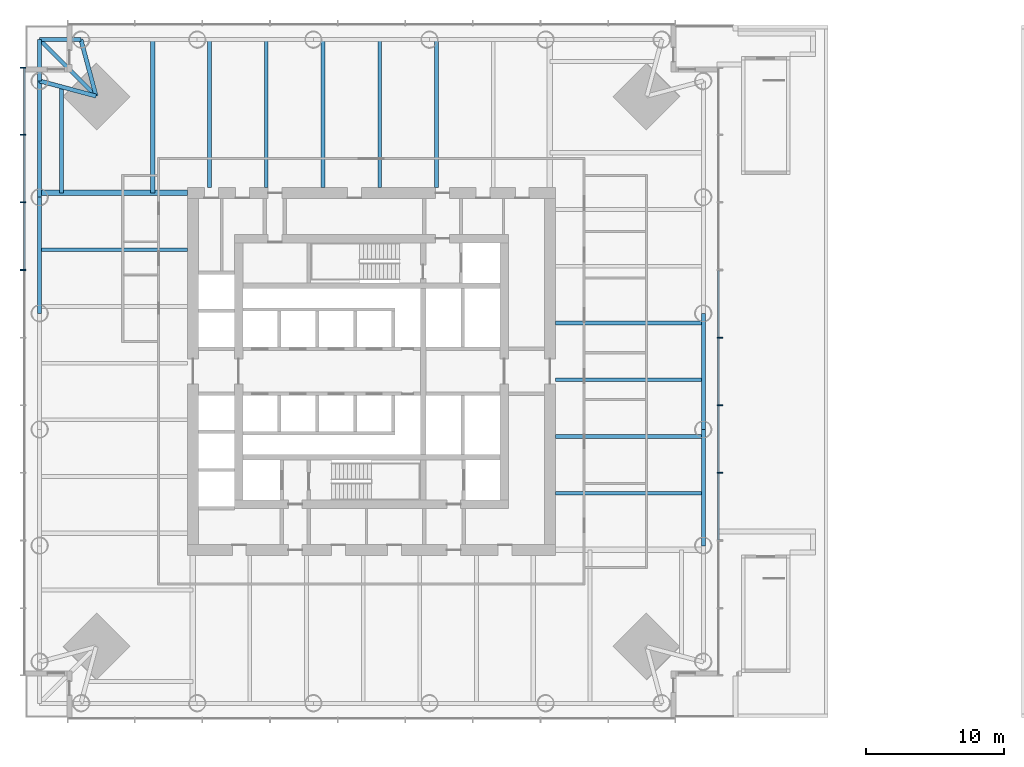
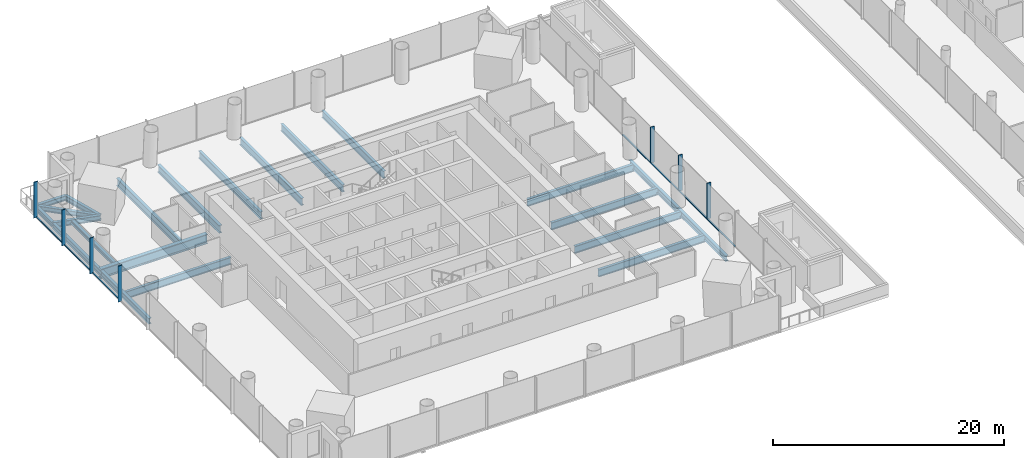
# One storey, part 3 of 19: 22 beams, 14 members, 2 elements without a shape of their own.
"""IFC4 building model written with IfcOpenShell, lengths in metres."""

from ifc_helpers import new_model, si_unit, direction, frame, origin, origin_2d, place, context, subcontext, project, spatial, rectangle, i_section, extrude, material, material_profile, profile_set, type_object, element, aggregate, save


model = new_model("IFC4")

# Units and contexts
model_context = context("Model", 3, precision=1e-05, world=origin(), true_north=direction((0.0, 1.0)))
body_context = subcontext(model_context, "Body", "Model", "MODEL_VIEW")
ifc_project = project(units=[si_unit("LENGTHUNIT", "METRE"), si_unit("AREAUNIT", "SQUARE_METRE"), si_unit("VOLUMEUNIT", "CUBIC_METRE"), si_unit("PLANEANGLEUNIT", "RADIAN"), si_unit("MASSUNIT", "GRAM", prefix="KILO")], contexts=[model_context])

# Site, building, storey
site_placement = place(None, origin())
site = spatial("IfcSite", under=ifc_project, at=site_placement, CompositionType="ELEMENT")
building_placement = place(site_placement, origin())
building = spatial("IfcBuilding", under=site, at=building_placement, Name="Ostroluk Exchange", CompositionType="ELEMENT")
storey_placement = place(building_placement, frame((0.0, 0.0, 21.0)))
storey = spatial("IfcBuildingStorey", under=building, at=storey_placement, Name="L04", CompositionType="ELEMENT", Elevation=21.0)

# Beams
ifc_material_1 = material(Name="Steel S355", Category="steel")
ifc_material_profile_1 = material_profile(ifc_material_1, i_section(OverallWidth=0.300048828125, OverallDepth=0.5, WebThickness=0.014404296875, FlangeThickness=0.028076171875, FilletRadius=0.027099609375, at=origin_2d()), Name="HEB 500")
ifc_profile_set_1 = profile_set([ifc_material_profile_1], Name="Steel S355")
beam_type_1 = type_object("IfcBeamType", Name="Balcony beam HEB 500", PredefinedType="BEAM", material=ifc_profile_set_1)
for number, where, z_axis, x_axis, name in (
    (1, (24.0, 70.0, -0.550048828125), (-1.0, 0.0, 0.0), (0.0, -1.0, 0.0), "T1 north balcony beam a"),
    (2, (21.0, 67.0, -0.550048828125), (0.0, 1.0, 0.0), (-1.0, 0.0, 0.0), "T1 north balcony beam b"),
):
    element("IfcBeam", number, at=place(storey_placement, frame(where, z_axis=z_axis, x_axis=x_axis)), inside=storey, type_object=beam_type_1, Name=name, PredefinedType="BEAM", context=body_context, shape_type="SweptSolid", body=[
        extrude(i_section(OverallWidth=0.300048828125, OverallDepth=0.5, WebThickness=0.014404296875, FlangeThickness=0.028076171875, FilletRadius=0.027099609375, at=origin_2d()), origin(), (0.0, 0.0, 1.0), 3.0),
    ])
beam_1_placement = place(storey_placement, frame((25.10009765625, 65.89990234375, -0.550048828125), z_axis=(-0.707106781187, 0.707106781187, 0.0), x_axis=(-0.707106781187, -0.707106781187, 0.0)))
element("IfcBeam", 3, at=beam_1_placement, inside=storey, type_object=beam_type_1, Name="T1 north balcony beam c", PredefinedType="BEAM", context=body_context, shape_type="SweptSolid", body=[
    extrude(i_section(OverallWidth=0.300048828125, OverallDepth=0.5, WebThickness=0.014404296875, FlangeThickness=0.028076171875, FilletRadius=0.027099609375, at=origin_2d()), origin(), (0.0, 0.0, 1.0), 5.79833984375),
])
ifc_material_2 = material(Name="Steel S355", Category="steel")
ifc_material_profile_2 = material_profile(ifc_material_2, i_section(OverallWidth=0.300048828125, OverallDepth=0.550048828125, WebThickness=0.014892578125, FlangeThickness=0.029052734375, FilletRadius=0.027099609375, at=origin_2d()), Name="HEB 550")
ifc_profile_set_2 = profile_set([ifc_material_profile_2], Name="Steel S355")
beam_type_2 = type_object("IfcBeamType", Name="Corner edge beam HEB 550", PredefinedType="SPANDREL", material=ifc_profile_set_2)
for number, where, z_axis, x_axis, name in (
    (4, (25.10009765625, 65.89990234375, -0.574951171875), (-0.259144268261, 0.965838624319, 0.0), (-0.965838624319, -0.259144268261, 0.0), "T1 north corner edge beam a"),
    (5, (25.10009765625, 65.89990234375, -0.574951171875), (-0.965838624319, 0.259144268261, 0.0), (-0.259144268261, -0.965838624319, 0.0), "T1 north corner edge beam b"),
):
    element("IfcBeam", number, at=place(storey_placement, frame(where, z_axis=z_axis, x_axis=x_axis)), inside=storey, type_object=beam_type_2, Name=name, PredefinedType="SPANDREL", context=body_context, shape_type="SweptSolid", body=[
        extrude(i_section(OverallWidth=0.300048828125, OverallDepth=0.550048828125, WebThickness=0.014892578125, FlangeThickness=0.029052734375, FilletRadius=0.027099609375, at=origin_2d()), origin(), (0.0, 0.0, 1.0), 4.2451171875),
    ])
ifc_material_3 = material(Name="Steel S355", Category="steel")
ifc_material_profile_3 = material_profile(ifc_material_3, i_section(OverallWidth=0.300048828125, OverallDepth=0.39990234375, WebThickness=0.013427734375, FlangeThickness=0.02392578125, FilletRadius=0.027099609375, at=origin_2d()), Name="HEB 400")
ifc_profile_set_3 = profile_set([ifc_material_profile_3], Name="Steel S355")
beam_type_3 = type_object("IfcBeamType", Name="Floor beam HEB 400", PredefinedType="BEAM", material=ifc_profile_set_3)
beam_2_placement = place(storey_placement, frame((22.60009765625, 58.89990234375, -0.5), z_axis=(0.0, 1.0, 0.0), x_axis=(-1.0, 0.0, 0.0)))
element("IfcBeam", 6, at=beam_2_placement, inside=storey, type_object=beam_type_3, Name="T1 north floor beam 8", PredefinedType="BEAM", context=body_context, shape_type="SweptSolid", body=[
    extrude(i_section(OverallWidth=0.300048828125, OverallDepth=0.39990234375, WebThickness=0.013427734375, FlangeThickness=0.02392578125, FilletRadius=0.027099609375, at=origin_2d()), origin(), (0.0, 0.0, 1.0), 7.6708984375),
])
ifc_material_4 = material(Name="Steel S355", Category="steel")
ifc_material_profile_4 = material_profile(ifc_material_4, i_section(OverallWidth=0.302978515625, OverallDepth=0.81396484375, WebThickness=0.02099609375, FlangeThickness=0.0400390625, FilletRadius=0.030029296875, at=origin_2d()), Name="HEM 800")
ifc_profile_set_4 = profile_set([ifc_material_profile_4], Name="Steel S355")
beam_type_4 = type_object("IfcBeamType", Name="Floor beam HEM 800", PredefinedType="BEAM", material=ifc_profile_set_4)
beam_3_placement = place(storey_placement, frame((33.300048828125, 59.300048828125, -0.70703125), z_axis=(0.0, 1.0, 0.0), x_axis=(-1.0, 0.0, 0.0)))
element("IfcBeam", 7, at=beam_3_placement, inside=storey, type_object=beam_type_4, Name="T1 north floor beam 6", PredefinedType="BEAM", context=body_context, shape_type="SweptSolid", body=[
    extrude(i_section(OverallWidth=0.302978515625, OverallDepth=0.81396484375, WebThickness=0.02099609375, FlangeThickness=0.0400390625, FilletRadius=0.030029296875, at=origin_2d()), origin(), (0.0, 0.0, 1.0), 10.699951171875),
])
beam_4_placement = place(storey_placement, frame((29.199951171875, 58.89990234375, -0.70703125), z_axis=(0.0, 1.0, 0.0), x_axis=(-1.0, 0.0, 0.0)))
element("IfcBeam", 8, at=beam_4_placement, inside=storey, type_object=beam_type_4, Name="T1 north floor beam 7", PredefinedType="BEAM", context=body_context, shape_type="SweptSolid", body=[
    extrude(i_section(OverallWidth=0.302978515625, OverallDepth=0.81396484375, WebThickness=0.02099609375, FlangeThickness=0.0400390625, FilletRadius=0.030029296875, at=origin_2d()), origin(), (0.0, 0.0, 1.0), 11.10009765625),
])
ifc_material_5 = material(Name="Steel S355", Category="steel")
ifc_material_profile_5 = material_profile(ifc_material_5, i_section(OverallWidth=0.26806640625, OverallDepth=0.77001953125, WebThickness=0.015625, FlangeThickness=0.025390625, FilletRadius=0.01708984375, at=origin_2d()), Name="IPE 750x196")
ifc_profile_set_5 = profile_set([ifc_material_profile_5], Name="Steel S355")
beam_type_5 = type_object("IfcBeamType", Name="Floor beam IPE 750x196", PredefinedType="BEAM", material=ifc_profile_set_5)
for number, where, z_axis, x_axis, name in (
    (9, (58.300048828125, 37.199951171875, -0.68505859375), (1.0, 0.0, 0.0), (0.0, 1.0, 0.0), "T1 east floor beam 1"),
    (10, (58.300048828125, 41.300048828125, -0.68505859375), (1.0, 0.0, 0.0), (0.0, 1.0, 0.0), "T1 east floor beam 2"),
    (11, (58.300048828125, 45.39990234375, -0.68505859375), (1.0, 0.0, 0.0), (0.0, 1.0, 0.0), "T1 east floor beam 3"),
    (12, (58.300048828125, 49.5, -0.68505859375), (1.0, 0.0, 0.0), (0.0, 1.0, 0.0), "T1 east floor beam 4"),
    (13, (49.699951171875, 59.300048828125, -0.68505859375), (0.0, 1.0, 0.0), (-1.0, 0.0, 0.0), "T1 north floor beam 2"),
    (14, (45.60009765625, 59.300048828125, -0.68505859375), (0.0, 1.0, 0.0), (-1.0, 0.0, 0.0), "T1 north floor beam 3"),
    (15, (41.5, 59.300048828125, -0.68505859375), (0.0, 1.0, 0.0), (-1.0, 0.0, 0.0), "T1 north floor beam 4"),
    (16, (37.39990234375, 59.300048828125, -0.68505859375), (0.0, 1.0, 0.0), (-1.0, 0.0, 0.0), "T1 north floor beam 5"),
    (17, (31.699951171875, 54.800048828125, -0.68505859375), (-1.0, 0.0, 0.0), (0.0, -1.0, 0.0), "T1 west floor beam 1"),
):
    element("IfcBeam", number, at=place(storey_placement, frame(where, z_axis=z_axis, x_axis=x_axis)), inside=storey, type_object=beam_type_5, Name=name, PredefinedType="BEAM", context=body_context, shape_type="SweptSolid", body=[
        extrude(i_section(OverallWidth=0.26806640625, OverallDepth=0.77001953125, WebThickness=0.015625, FlangeThickness=0.025390625, FilletRadius=0.01708984375, at=origin_2d()), origin(), (0.0, 0.0, 1.0), 10.699951171875),
    ])
ifc_material_6 = material(Name="Steel S355", Category="steel")
ifc_material_profile_6 = material_profile(ifc_material_6, i_section(OverallWidth=0.402099609375, OverallDepth=1.011962890625, WebThickness=0.035888671875, FlangeThickness=0.055908203125, FilletRadius=0.030029296875, at=origin_2d()), Name="HL 1000x443")
ifc_profile_set_6 = profile_set([ifc_material_profile_6], Name="Steel S355")
beam_type_6 = type_object("IfcBeamType", Name="Girder HL 1000x443", PredefinedType="BEAM", material=ifc_profile_set_6)
beam_5_placement = place(storey_placement, frame((31.699951171875, 58.89990234375, -0.805908203125), z_axis=(-1.0, 0.0, 0.0), x_axis=(0.0, -1.0, 0.0)))
element("IfcBeam", 18, at=beam_5_placement, inside=storey, type_object=beam_type_6, Name="T1 north girder", PredefinedType="BEAM", context=body_context, shape_type="SweptSolid", body=[
    extrude(i_section(OverallWidth=0.402099609375, OverallDepth=1.011962890625, WebThickness=0.035888671875, FlangeThickness=0.055908203125, FilletRadius=0.030029296875, at=origin_2d()), origin(), (0.0, 0.0, 1.0), 10.699951171875),
])
ifc_material_7 = material(Name="Steel S355", Category="steel")
ifc_material_profile_7 = material_profile(ifc_material_7, i_section(OverallWidth=0.300048828125, OverallDepth=0.60009765625, WebThickness=0.015380859375, FlangeThickness=0.030029296875, FilletRadius=0.027099609375, at=origin_2d()), Name="HEB 600")
ifc_profile_set_7 = profile_set([ifc_material_profile_7], Name="Steel S355")
beam_type_7 = type_object("IfcBeamType", Name="Moment-connected edge beam HEB 600", PredefinedType="SPANDREL", material=ifc_profile_set_7)
beam_6_placement = place(storey_placement, frame((69.0, 33.39990234375, -0.60009765625), z_axis=(0.0, 1.0, 0.0), x_axis=(-1.0, 0.0, 0.0)))
element("IfcBeam", 19, at=beam_6_placement, inside=storey, type_object=beam_type_7, Name="T1 east edge beam 2", PredefinedType="SPANDREL", context=body_context, shape_type="SweptSolid", body=[
    extrude(i_section(OverallWidth=0.300048828125, OverallDepth=0.60009765625, WebThickness=0.015380859375, FlangeThickness=0.030029296875, FilletRadius=0.027099609375, at=origin_2d()), origin(), (0.0, 0.0, 1.0), 8.400146484375),
])
for number, where, z_axis, x_axis, name in (
    (20, (69.0, 41.800048828125, -0.60009765625), (0.0, 1.0, 0.0), (-1.0, 0.0, 0.0), "T1 east edge beam 3"),
    (21, (21.0, 67.0, -0.60009765625), (0.0, -1.0, 0.0), (1.0, 0.0, 0.0), "T1 west edge beam 1"),
):
    element("IfcBeam", number, at=place(storey_placement, frame(where, z_axis=z_axis, x_axis=x_axis)), inside=storey, type_object=beam_type_7, Name=name, PredefinedType="SPANDREL", context=body_context, shape_type="SweptSolid", body=[
        extrude(i_section(OverallWidth=0.300048828125, OverallDepth=0.60009765625, WebThickness=0.015380859375, FlangeThickness=0.030029296875, FilletRadius=0.027099609375, at=origin_2d()), origin(), (0.0, 0.0, 1.0), 8.39990234375),
    ])
beam_7_placement = place(storey_placement, frame((21.0, 58.60009765625, -0.60009765625), z_axis=(0.0, -1.0, 0.0), x_axis=(1.0, 0.0, 0.0)))
element("IfcBeam", 22, at=beam_7_placement, inside=storey, type_object=beam_type_7, Name="T1 west edge beam 2", PredefinedType="SPANDREL", context=body_context, shape_type="SweptSolid", body=[
    extrude(i_section(OverallWidth=0.300048828125, OverallDepth=0.60009765625, WebThickness=0.015380859375, FlangeThickness=0.030029296875, FilletRadius=0.027099609375, at=origin_2d()), origin(), (0.0, 0.0, 1.0), 8.400146484375),
])

# Curtain wall, members
ifc_material_8 = material(Name="Laminated clear glass", Category="glass")
curtain_wall_type = type_object("IfcCurtainWallType", Name="Office tower facade", PredefinedType="USERDEFINED", material=ifc_material_8)
curtain_wall_1_placement = place(storey_placement, origin())
curtain_wall_1 = element("IfcCurtainWall", 23, at=curtain_wall_1_placement, inside=storey, type_object=curtain_wall_type, Name="Office tower east facade L04", ObjectType="UNITISED CURTAIN WALL", PredefinedType="USERDEFINED")
ifc_material_9 = material(Name="Aluminium mullion", Category="aluminium")
ifc_material_profile_8 = material_profile(ifc_material_9, rectangle(XDim=0.14990234375, YDim=0.080078125, at=origin_2d()), Name="Sill transom 80 x 150")
ifc_profile_set_8 = profile_set([ifc_material_profile_8], Name="Aluminium mullion")
member_type_1 = type_object("IfcMemberType", Name="Sill transom 80 x 150", PredefinedType="USERDEFINED", material=ifc_profile_set_8)
member_1_placement = place(storey_placement, frame((70.074951171875, 33.81787109375, 0.0400390625), z_axis=(0.0, 1.0, 0.0), x_axis=(-1.0, 0.0, 0.0)))
member_1 = element("IfcMember", 24, at=member_1_placement, type_object=member_type_1, Name="CW-O1 transom 3.1", ObjectType="TRANSOM", PredefinedType="USERDEFINED", context=body_context, shape_type="SweptSolid", body=[
    extrude(rectangle(XDim=0.14990234375, YDim=0.080078125, at=origin_2d()), origin(), (0.0, 0.0, 1.0), 4.808837890625),
])
member_2_placement = place(storey_placement, frame((70.074951171875, 38.706787109375, 0.0400390625), z_axis=(0.0, 1.0, 0.0), x_axis=(-1.0, 0.0, 0.0)))
member_2 = element("IfcMember", 25, at=member_2_placement, type_object=member_type_1, Name="CW-O1 transom 4.1", ObjectType="TRANSOM", PredefinedType="USERDEFINED", context=body_context, shape_type="SweptSolid", body=[
    extrude(rectangle(XDim=0.14990234375, YDim=0.080078125, at=origin_2d()), origin(), (0.0, 0.0, 1.0), 4.808837890625),
])
member_3_placement = place(storey_placement, frame((70.074951171875, 43.595458984375, 0.0400390625), z_axis=(0.0, 1.0, 0.0), x_axis=(-1.0, 0.0, 0.0)))
member_3 = element("IfcMember", 26, at=member_3_placement, type_object=member_type_1, Name="CW-O1 transom 5.1", ObjectType="TRANSOM", PredefinedType="USERDEFINED", context=body_context, shape_type="SweptSolid", body=[
    extrude(rectangle(XDim=0.14990234375, YDim=0.080078125, at=origin_2d()), origin(), (0.0, 0.0, 1.0), 4.80908203125),
])
member_4_placement = place(storey_placement, frame((70.074951171875, 48.484375, 0.0400390625), z_axis=(0.0, 1.0, 0.0), x_axis=(-1.0, 0.0, 0.0)))
member_4 = element("IfcMember", 27, at=member_4_placement, type_object=member_type_1, Name="CW-O1 transom 6.1", ObjectType="TRANSOM", PredefinedType="USERDEFINED", context=body_context, shape_type="SweptSolid", body=[
    extrude(rectangle(XDim=0.14990234375, YDim=0.080078125, at=origin_2d()), origin(), (0.0, 0.0, 1.0), 4.808837890625),
])

curtain_wall_2_placement = place(storey_placement, origin())
curtain_wall_2 = element("IfcCurtainWall", 28, at=curtain_wall_2_placement, inside=storey, type_object=curtain_wall_type, Name="Office tower west facade L04", ObjectType="UNITISED CURTAIN WALL", PredefinedType="USERDEFINED")
member_5_placement = place(storey_placement, frame((19.925048828125, 67.919921875, 0.0400390625), z_axis=(0.0, -1.0, 0.0), x_axis=(1.0, 0.0, 0.0)))
member_5 = element("IfcMember", 29, at=member_5_placement, type_object=member_type_1, Name="CW-O1 transom 1.1", ObjectType="TRANSOM", PredefinedType="USERDEFINED", context=body_context, shape_type="SweptSolid", body=[
    extrude(rectangle(XDim=0.14990234375, YDim=0.080078125, at=origin_2d()), origin(), (0.0, 0.0, 1.0), 4.768798828125),
])
member_6_placement = place(storey_placement, frame((19.925048828125, 63.071044921875, 0.0400390625), z_axis=(0.0, -1.0, 0.0), x_axis=(1.0, 0.0, 0.0)))
member_6 = element("IfcMember", 30, at=member_6_placement, type_object=member_type_1, Name="CW-O1 transom 2.1", ObjectType="TRANSOM", PredefinedType="USERDEFINED", context=body_context, shape_type="SweptSolid", body=[
    extrude(rectangle(XDim=0.14990234375, YDim=0.080078125, at=origin_2d()), origin(), (0.0, 0.0, 1.0), 4.808837890625),
])
member_7_placement = place(storey_placement, frame((19.925048828125, 58.18212890625, 0.0400390625), z_axis=(0.0, -1.0, 0.0), x_axis=(1.0, 0.0, 0.0)))
member_7 = element("IfcMember", 31, at=member_7_placement, type_object=member_type_1, Name="CW-O1 transom 3.1", ObjectType="TRANSOM", PredefinedType="USERDEFINED", context=body_context, shape_type="SweptSolid", body=[
    extrude(rectangle(XDim=0.14990234375, YDim=0.080078125, at=origin_2d()), origin(), (0.0, 0.0, 1.0), 4.808837890625),
])

# Member
ifc_material_10 = material(Name="Aluminium mullion with limestone facing", Category="masonry")
ifc_material_profile_9 = material_profile(ifc_material_10, rectangle(XDim=0.39990234375, YDim=0.080078125, at=origin_2d()), Name="Tracery mullion 80 x 400")
ifc_profile_set_9 = profile_set([ifc_material_profile_9], Name="Aluminium mullion with limestone facing")
member_type_2 = type_object("IfcMemberType", Name="Tracery mullion 80 x 400", PredefinedType="MULLION", material=ifc_profile_set_9)
member_8_placement = place(storey_placement, frame((70.199951171875, 38.666748046875, 0.0), z_axis=(0.0, 0.0, 1.0), x_axis=(-1.0, 0.0, 0.0)))
member_8 = element("IfcMember", 32, at=member_8_placement, type_object=member_type_2, Name="CW-O1 mullion 4", PredefinedType="MULLION", context=body_context, shape_type="SweptSolid", body=[
    extrude(rectangle(XDim=0.39990234375, YDim=0.080078125, at=origin_2d()), origin(), (0.0, 0.0, 1.0), 3.800048828125),
])

member_9_placement = place(storey_placement, frame((70.199951171875, 43.5556640625, 0.0), z_axis=(0.0, 0.0, 1.0), x_axis=(-1.0, 0.0, 0.0)))
member_9 = element("IfcMember", 33, at=member_9_placement, type_object=member_type_2, Name="CW-O1 mullion 5", PredefinedType="MULLION", context=body_context, shape_type="SweptSolid", body=[
    extrude(rectangle(XDim=0.39990234375, YDim=0.080078125, at=origin_2d()), origin(), (0.0, 0.0, 1.0), 3.800048828125),
])

member_10_placement = place(storey_placement, frame((70.199951171875, 48.4443359375, 0.0), z_axis=(0.0, 0.0, 1.0), x_axis=(-1.0, 0.0, 0.0)))
member_10 = element("IfcMember", 34, at=member_10_placement, type_object=member_type_2, Name="CW-O1 mullion 6", PredefinedType="MULLION", context=body_context, shape_type="SweptSolid", body=[
    extrude(rectangle(XDim=0.39990234375, YDim=0.080078125, at=origin_2d()), origin(), (0.0, 0.0, 1.0), 3.800048828125),
])

aggregate(curtain_wall_1, [member_8, member_9, member_10, member_1, member_2, member_3, member_4])

member_11_placement = place(storey_placement, frame((19.800048828125, 67.9599609375, 0.0), z_axis=(0.0, 0.0, 1.0), x_axis=(1.0, 0.0, 0.0)))
member_11 = element("IfcMember", 35, at=member_11_placement, type_object=member_type_2, Name="CW-O1 mullion 1", PredefinedType="MULLION", context=body_context, shape_type="SweptSolid", body=[
    extrude(rectangle(XDim=0.39990234375, YDim=0.080078125, at=origin_2d()), origin(), (0.0, 0.0, 1.0), 3.800048828125),
])

member_12_placement = place(storey_placement, frame((19.800048828125, 63.111083984375, 0.0), z_axis=(0.0, 0.0, 1.0), x_axis=(1.0, 0.0, 0.0)))
member_12 = element("IfcMember", 36, at=member_12_placement, type_object=member_type_2, Name="CW-O1 mullion 2", PredefinedType="MULLION", context=body_context, shape_type="SweptSolid", body=[
    extrude(rectangle(XDim=0.39990234375, YDim=0.080078125, at=origin_2d()), origin(), (0.0, 0.0, 1.0), 3.800048828125),
])

member_13_placement = place(storey_placement, frame((19.800048828125, 58.22216796875, 0.0), z_axis=(0.0, 0.0, 1.0), x_axis=(1.0, 0.0, 0.0)))
member_13 = element("IfcMember", 37, at=member_13_placement, type_object=member_type_2, Name="CW-O1 mullion 3", PredefinedType="MULLION", context=body_context, shape_type="SweptSolid", body=[
    extrude(rectangle(XDim=0.39990234375, YDim=0.080078125, at=origin_2d()), origin(), (0.0, 0.0, 1.0), 3.800048828125),
])

member_14_placement = place(storey_placement, frame((19.800048828125, 53.333251953125, 0.0), z_axis=(0.0, 0.0, 1.0), x_axis=(1.0, 0.0, 0.0)))
member_14 = element("IfcMember", 38, at=member_14_placement, type_object=member_type_2, Name="CW-O1 mullion 4", PredefinedType="MULLION", context=body_context, shape_type="SweptSolid", body=[
    extrude(rectangle(XDim=0.39990234375, YDim=0.080078125, at=origin_2d()), origin(), (0.0, 0.0, 1.0), 3.800048828125),
])

aggregate(curtain_wall_2, [member_11, member_12, member_13, member_14, member_5, member_6, member_7])

save(model, "model.ifc")
